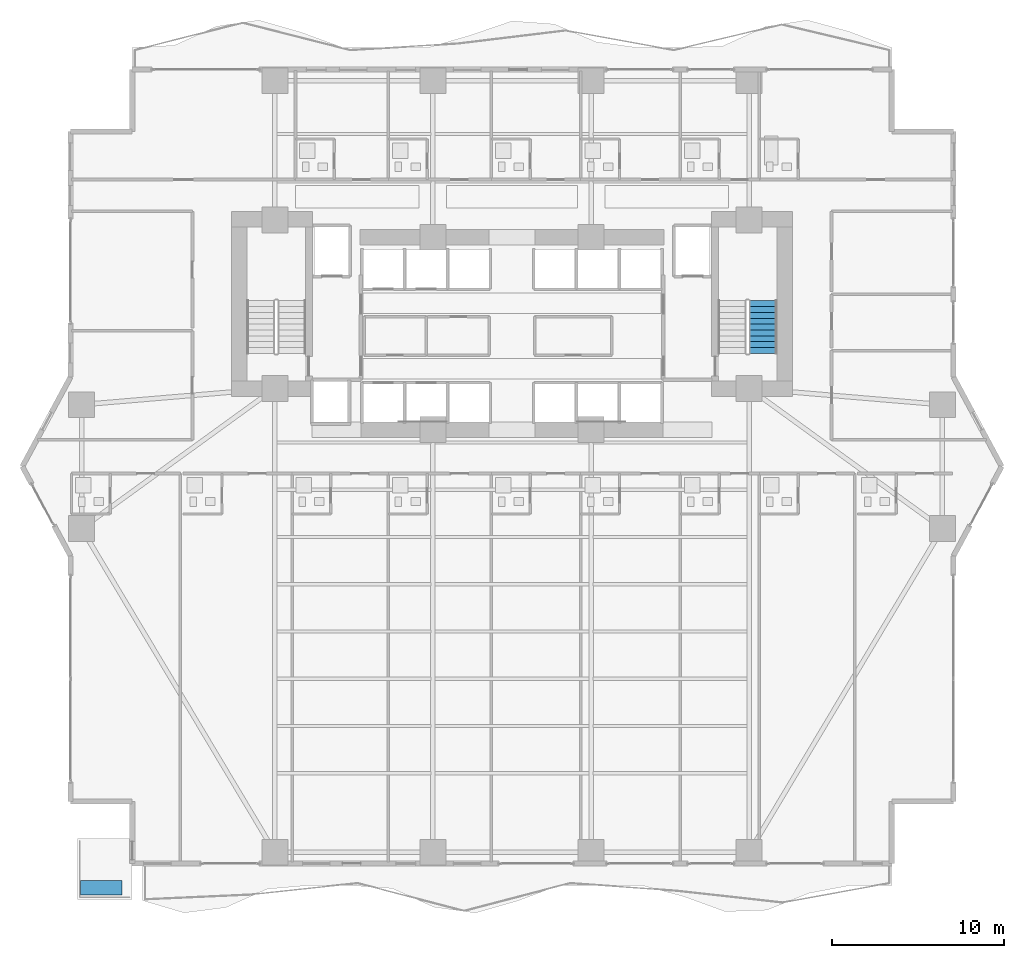
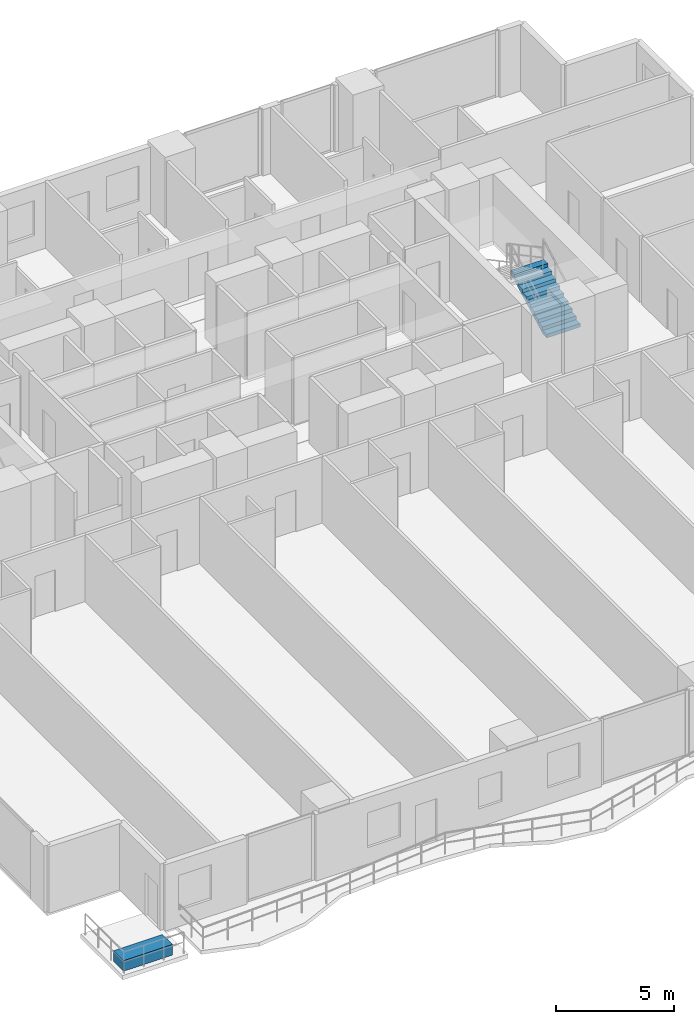
# One storey, part 23 of 28: 1 building element part, 1 stair flight, 1 element without a shape of its own.
"""IFC4 building model written with IfcOpenShell, lengths in metres."""

from ifc_helpers import new_model, si_unit, direction, frame, origin, origin_2d, place, context, subcontext, project, spatial, polyline, rectangle, outline, extrude, material, layer, layer_set, type_object, element, aggregate, save


model = new_model("IFC4")

# Units and contexts
model_context = context("Model", 3, precision=1e-05, world=origin(), true_north=direction((0.0, 1.0)))
body_context = subcontext(model_context, "Body", "Model", "MODEL_VIEW")
ifc_project = project(units=[si_unit("LENGTHUNIT", "METRE"), si_unit("AREAUNIT", "SQUARE_METRE"), si_unit("VOLUMEUNIT", "CUBIC_METRE"), si_unit("PLANEANGLEUNIT", "RADIAN"), si_unit("MASSUNIT", "GRAM", prefix="KILO")], contexts=[model_context])

# Site, building, storey
site_placement = place(None, origin())
site = spatial("IfcSite", under=ifc_project, at=site_placement, CompositionType="ELEMENT")
building_placement = place(site_placement, origin())
building = spatial("IfcBuilding", under=site, at=building_placement, Name="Zuhayl Quay Hotel", CompositionType="ELEMENT")
storey_placement = place(building_placement, frame((0.0, 0.0, 34.89990234375)))
storey = spatial("IfcBuildingStorey", under=building, at=storey_placement, Name="L07", CompositionType="ELEMENT", Elevation=34.89990234375)

# Stair, stair flight
ifc_material_1 = material(Name="Concrete C45/55", Category="concrete")
stair_type = type_object("IfcStairType", Name="ST_DOGLEG_TOWER", PredefinedType="HALF_TURN_STAIR", material=ifc_material_1)
stair_placement = place(storey_placement, origin())
stair = element("IfcStair", 1, at=stair_placement, inside=storey, type_object=stair_type, Name="L07 Smokeproof Exit Stair ST2", PredefinedType="HALF_TURN_STAIR")
ifc_layer_1 = layer(ifc_material_1, 0.159912109375, Name="Concrete C45/55", Category="concrete")
ifc_layer_set_1 = layer_set([ifc_layer_1], Name="Concrete C45/55")
stair_flight_type = type_object("IfcStairFlightType", Name="SF_CONC_164", PredefinedType="STRAIGHT", material=ifc_layer_set_1)
stair_flight_placement = place(storey_placement, frame((14.610107421875, 6.590087890625, 0.0), z_axis=(0.0, 0.0, 1.0), x_axis=(0.0, 1.0, 0.0)))
stair_flight = element("IfcStairFlight", 2, at=stair_flight_placement, type_object=stair_flight_type, Name="ST2 flight 1", NumberOfRisers=10, NumberOfTreads=9, PredefinedType="STRAIGHT", RiserHeight=0.1825, TreadLength=0.34, context=body_context, shape_type="SweptSolid", body=[
    extrude(outline(polyline([(0.0, 0.0), (0.0, 0.1826171875), (0.340087890625, 0.1826171875), (0.340087890625, 0.364990234375), (0.679931640625, 0.364990234375), (0.679931640625, 0.547607421875), (1.02001953125, 0.547607421875), (1.02001953125, 0.72998046875), (1.360107421875, 0.72998046875), (1.360107421875, 0.91259765625), (1.699951171875, 0.91259765625), (1.699951171875, 1.094970703125), (2.0400390625, 1.094970703125), (2.0400390625, 1.277587890625), (2.3798828125, 1.277587890625), (2.3798828125, 1.4599609375), (2.719970703125, 1.4599609375), (2.719970703125, 1.642578125), (3.06005859375, 1.642578125), (3.06005859375, 1.824951171875), (3.06005859375, 1.472412109375), (0.31689453125, 0.0), (0.0, 0.0)])), frame((0.0, 0.81982421875, 0.0), z_axis=(0.0, -1.0, 0.0), x_axis=(1.0, 0.0, 0.0)), (0.0, 0.0, 1.0), 1.639892578125),
])
aggregate(stair, [stair_flight])

# Building element part
ifc_material_2 = material(Name="Precast concrete C45/55", Category="concrete")
ifc_layer_2 = layer(ifc_material_2, 0.550048828125, Name="Precast concrete C45/55", Category="concrete")
ifc_layer_set_2 = layer_set([ifc_layer_2], Name="Precast concrete C45/55")
building_element_part_type = type_object("IfcBuildingElementPartType", Name="PT_PLANTER_KERB", PredefinedType="PRECASTPANEL", material=ifc_layer_set_2)
building_element_part_placement = place(storey_placement, frame((-23.909912109375, -24.510009765625, 0.0), z_axis=(0.0, 0.0, 1.0), x_axis=(1.0, 0.0, 0.0)))
element("IfcBuildingElementPart", 3, at=building_element_part_placement, inside=storey, type_object=building_element_part_type, Name="L07 Spiral Sky-Terrace Planter Box SW", PredefinedType="PRECASTPANEL", context=body_context, shape_type="SweptSolid", body=[
    extrude(rectangle(XDim=2.39990234375, YDim=0.85009765625, at=origin_2d()), origin(), (0.0, 0.0, 1.0), 0.550048828125),
])

save(model, "model.ifc")
